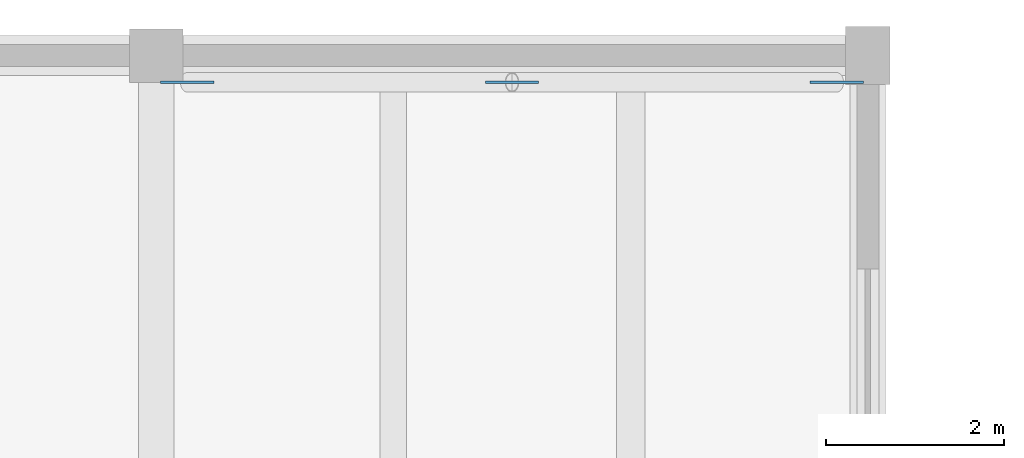
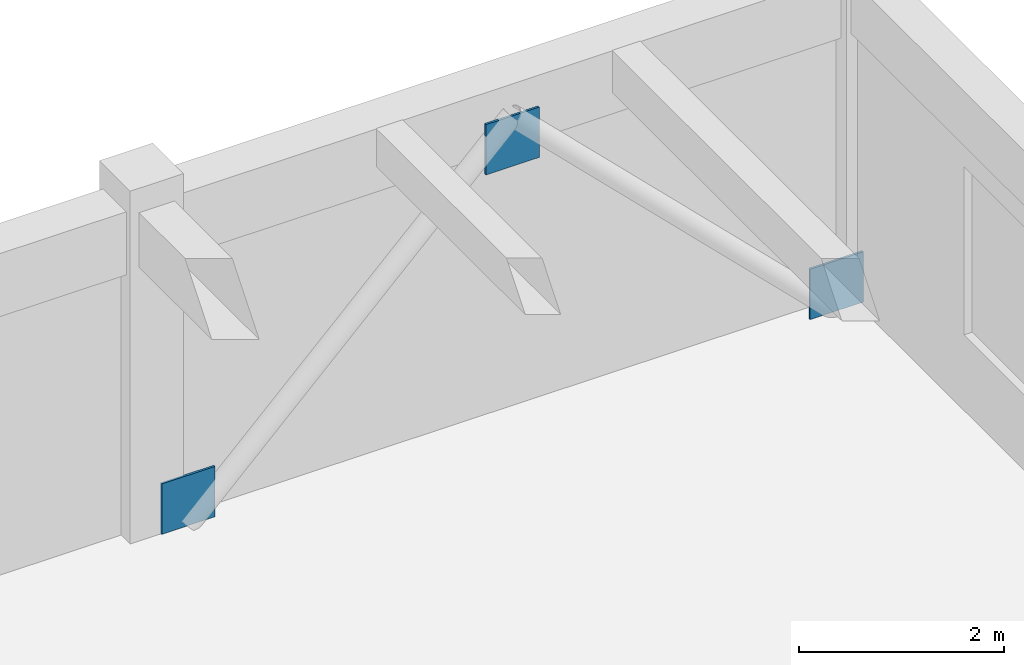
# One storey, part 41 of 67: 3 plates.
"""IFC4 building model written with IfcOpenShell, lengths in metres."""

from ifc_helpers import new_model, si_unit, direction, frame, origin, origin_2d, place, context, subcontext, project, spatial, rectangle, extrude, material, layer, layer_set, type_object, element, save


model = new_model("IFC4")

# Units and contexts
model_context = context("Model", 3, precision=1e-05, world=origin(), true_north=direction((0.0, 1.0)))
body_context = subcontext(model_context, "Body", "Model", "MODEL_VIEW")
ifc_project = project(units=[si_unit("LENGTHUNIT", "METRE"), si_unit("AREAUNIT", "SQUARE_METRE"), si_unit("VOLUMEUNIT", "CUBIC_METRE"), si_unit("PLANEANGLEUNIT", "RADIAN"), si_unit("MASSUNIT", "GRAM", prefix="KILO")], contexts=[model_context])

# Site, building, storey
site_placement = place(None, origin())
site = spatial("IfcSite", under=ifc_project, at=site_placement, CompositionType="ELEMENT")
building_placement = place(site_placement, origin())
building = spatial("IfcBuilding", under=site, at=building_placement, Name="Tlaxcora Railside Police Headquarters", CompositionType="ELEMENT")
storey_placement = place(building_placement, frame((0.0, 0.0, 4.800048828125)))
storey = spatial("IfcBuildingStorey", under=building, at=storey_placement, Name="L01", CompositionType="ELEMENT", Elevation=4.800048828125)

# Plates
ifc_material = material(Name="Steel ASTM A992 Grade 50", Category="steel")
ifc_layer = layer(ifc_material, 0.02490234375, Name="Steel ASTM A992 Grade 50")
ifc_layer_set = layer_set([ifc_layer], Name="Steel ASTM A992 Grade 50")
plate_type = type_object("IfcPlateType", Name="Structural Gusset or Cap Plate GP-22", PredefinedType="USERDEFINED", material=ifc_layer_set)
for number, where, z_axis, x_axis, name in (
    (1, (151.14990234375, 92.5, 0.0), (0.0, 0.0, 1.0), (1.0, 0.0, 0.0), "Chevron brace 6 gusset plate L"),
    (2, (158.449951171875, 92.5, 0.0), (0.0, 0.0, 1.0), (1.0, 0.0, 0.0), "Chevron brace 6 gusset plate R"),
    (3, (154.800048828125, 92.5, 3.0), (0.0, 0.0, 1.0), (1.0, 0.0, 0.0), "Chevron brace 6 gusset plate APEX"),
):
    element("IfcPlate", number, at=place(storey_placement, frame(where, z_axis=z_axis, x_axis=x_axis)), inside=storey, type_object=plate_type, Name=name, ObjectType="GUSSET PLATE", PredefinedType="USERDEFINED", context=body_context, shape_type="SweptSolid", body=[
        extrude(rectangle(XDim=0.60009765625, YDim=0.02490234375, at=origin_2d()), origin(), (0.0, 0.0, 1.0), 0.60009765625),
    ])

save(model, "model.ifc")
